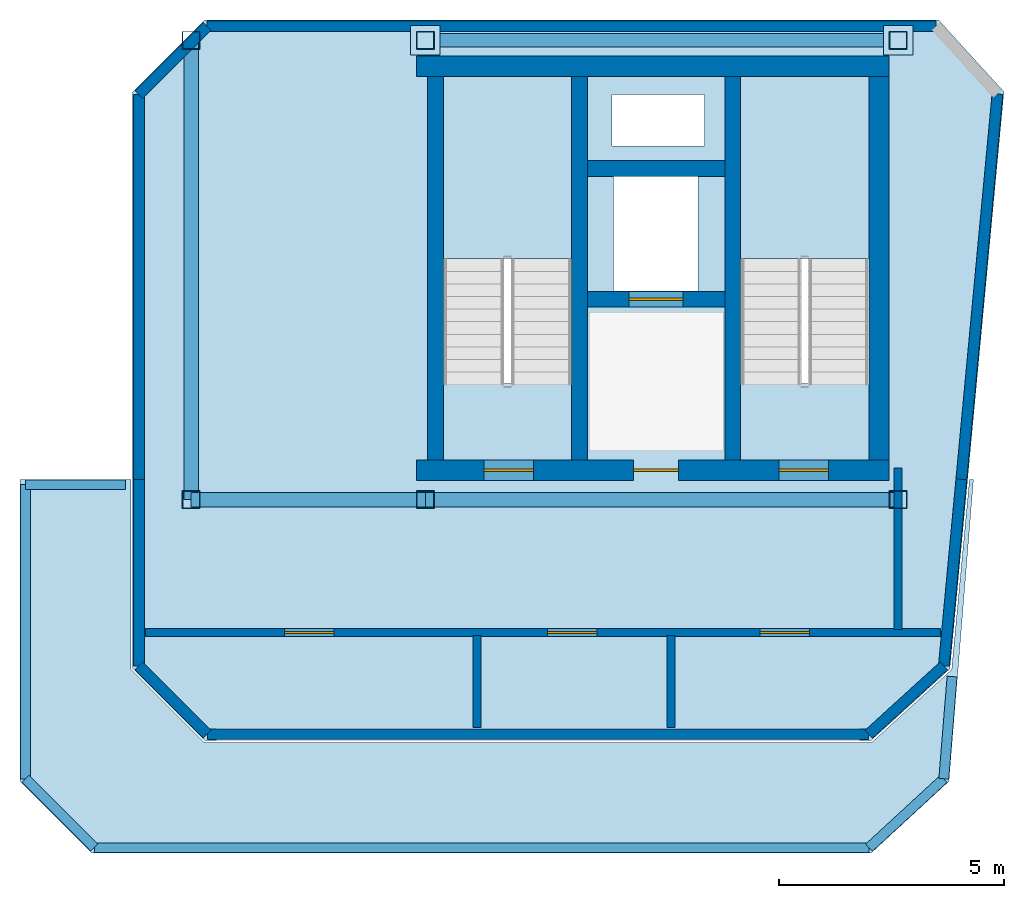
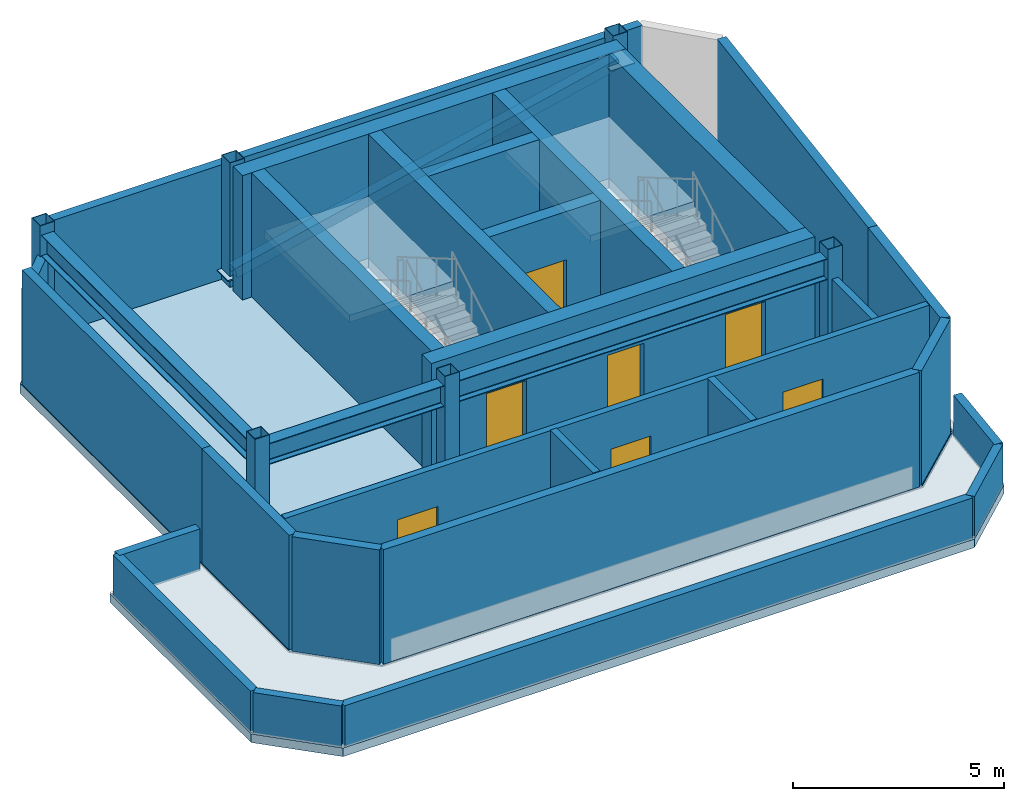
# One storey, part 1 of 3: 27 walls, 7 doors, 6 columns, 4 slabs, 3 beams, 2 plates, 1 member, 7 openings, 2 elements without a shape of their own.
"""IFC4 building model written with IfcOpenShell, lengths in metres."""

from ifc_helpers import new_model, si_unit, direction, frame, frame_2d, origin, origin_2d, place, context, subcontext, project, spatial, polyline, rectangle, hollow_rectangle, i_section, outline, extrude, material, layer, layer_set, material_profile, profile_set, type_object, element, fill, aggregate, save


model = new_model("IFC4")

# Units and contexts
model_context = context("Model", 3, precision=1e-05, world=origin(), true_north=direction((0.0, 1.0)))
body_context = subcontext(model_context, "Body", "Model", "MODEL_VIEW")
ifc_project = project(units=[si_unit("LENGTHUNIT", "METRE"), si_unit("AREAUNIT", "SQUARE_METRE"), si_unit("VOLUMEUNIT", "CUBIC_METRE"), si_unit("PLANEANGLEUNIT", "RADIAN"), si_unit("MASSUNIT", "GRAM", prefix="KILO")], contexts=[model_context])

# Site, building, storey
site_placement = place(None, origin())
site = spatial("IfcSite", under=ifc_project, at=site_placement, CompositionType="ELEMENT")
building_placement = place(site_placement, origin())
building = spatial("IfcBuilding", under=site, at=building_placement, Name="Kravanh Interchange Tower", CompositionType="ELEMENT")
storey_placement = place(building_placement, frame((0.0, 0.0, 330.0)))
storey = spatial("IfcBuildingStorey", under=building, at=storey_placement, Name="L82", CompositionType="ELEMENT", Elevation=330.0)

# Columns
ifc_material_1 = material(Name="Structural Steel S355", Category="steel")
ifc_material_profile_1 = material_profile(ifc_material_1, hollow_rectangle(XDim=0.39990234375, YDim=0.39990234375, WallThickness=0.01611328125, at=origin_2d()), Name="HSS400X400X16")
ifc_profile_set_1 = profile_set([ifc_material_profile_1], Name="Structural Steel S355")
column_type = type_object("IfcColumnType", Name="Column HSS400X400X16 Structural Steel S355", PredefinedType="COLUMN", material=ifc_profile_set_1)
for number, where, z_axis, x_axis, name in (
    (1, (66.5, 47.550048828125, 0.0), (0.0, 0.0, 1.0), (1.0, 0.0, 0.0), "L82 Column CS01"),
    (2, (56.0, 47.550048828125, 0.0), (0.0, 0.0, 1.0), (1.0, 0.0, 0.0), "L82 Column CS02"),
    (3, (66.5, 37.35009765625, 0.0), (0.0, 0.0, 1.0), (1.0, 0.0, 0.0), "L82 Column CS03"),
    (4, (56.0, 37.35009765625, 0.0), (0.0, 0.0, 1.0), (1.0, 0.0, 0.0), "L82 Column CS04"),
    (5, (50.800048828125, 47.550048828125, 0.0), (0.0, 0.0, 1.0), (1.0, 0.0, 0.0), "L82 Column CS05"),
    (6, (50.800048828125, 37.35009765625, 0.0), (0.0, 0.0, 1.0), (1.0, 0.0, 0.0), "L82 Column CS06"),
):
    element("IfcColumn", number, at=place(storey_placement, frame(where, z_axis=z_axis, x_axis=x_axis)), inside=storey, type_object=column_type, Name=name, PredefinedType="COLUMN", context=body_context, shape_type="SweptSolid", body=[
        extrude(hollow_rectangle(XDim=0.39990234375, YDim=0.39990234375, WallThickness=0.01611328125, at=origin_2d()), origin(), (0.0, 0.0, 1.0), 3.60009765625),
    ])

# Beams
ifc_material_2 = material(Name="Structural Steel S355", Category="steel")
ifc_material_profile_2 = material_profile(ifc_material_2, i_section(OverallWidth=0.323974609375, OverallDepth=0.611083984375, WebThickness=0.0126953125, FlangeThickness=0.01904296875, FilletRadius=0.02197265625, at=origin_2d()), Name="W24X104")
ifc_profile_set_2 = profile_set([ifc_material_profile_2], Name="Structural Steel S355")
beam_type = type_object("IfcBeamType", Name="Floor Beam W24X104 Structural Steel S355", PredefinedType="BEAM", material=ifc_profile_set_2)
beam_1_placement = place(storey_placement, frame((66.5, 37.35009765625, 3.014404296875), z_axis=(-1.0, 0.0, 0.0), x_axis=(0.0, -1.0, 0.0)))
element("IfcBeam", 7, at=beam_1_placement, inside=storey, type_object=beam_type, Name="L82 Primary Floor Girder 5", PredefinedType="BEAM", context=body_context, shape_type="SweptSolid", body=[
    extrude(i_section(OverallWidth=0.323974609375, OverallDepth=0.611083984375, WebThickness=0.0126953125, FlangeThickness=0.01904296875, FilletRadius=0.02197265625, at=origin_2d()), origin(), (0.0, 0.0, 1.0), 10.5),
])
beam_2_placement = place(storey_placement, frame((56.0, 37.35009765625, 3.014404296875), z_axis=(-1.0, 0.0, 0.0), x_axis=(0.0, -1.0, 0.0)))
element("IfcBeam", 8, at=beam_2_placement, inside=storey, type_object=beam_type, Name="L82 Primary Floor Girder 6", PredefinedType="BEAM", context=body_context, shape_type="SweptSolid", body=[
    extrude(i_section(OverallWidth=0.323974609375, OverallDepth=0.611083984375, WebThickness=0.0126953125, FlangeThickness=0.01904296875, FilletRadius=0.02197265625, at=origin_2d()), origin(), (0.0, 0.0, 1.0), 5.199951171875),
])
beam_3_placement = place(storey_placement, frame((50.800048828125, 47.550048828125, 3.014404296875), z_axis=(0.0, -1.0, 0.0), x_axis=(1.0, 0.0, 0.0)))
element("IfcBeam", 9, at=beam_3_placement, inside=storey, type_object=beam_type, Name="L82 Primary Floor Girder 7", PredefinedType="BEAM", context=body_context, shape_type="SweptSolid", body=[
    extrude(i_section(OverallWidth=0.323974609375, OverallDepth=0.611083984375, WebThickness=0.0126953125, FlangeThickness=0.01904296875, FilletRadius=0.02197265625, at=origin_2d()), origin(), (0.0, 0.0, 1.0), 10.199951171875),
])

# Member
ifc_material_3 = material(Name="Structural Steel S355", Category="steel")
ifc_material_profile_3 = material_profile(ifc_material_3, hollow_rectangle(XDim=0.300048828125, YDim=0.300048828125, WallThickness=0.011962890625, at=origin_2d()), Name="HSS300X300X12")
ifc_profile_set_3 = profile_set([ifc_material_profile_3], Name="Structural Steel S355")
member_type = type_object("IfcMemberType", Name="Frame Brace HSS300X300X12 Structural Steel S355", PredefinedType="BRACE", material=ifc_profile_set_3)
member_placement = place(storey_placement, frame((56.0, 47.550048828125, 0.300048828125), z_axis=(0.974678011383, 0.0, 0.223613000798), x_axis=(0.0, 1.0, 0.0)))
element("IfcMember", 10, at=member_placement, inside=storey, type_object=member_type, Name="L82 Spine Frame Steel Brace 1", PredefinedType="BRACE", context=body_context, shape_type="SweptSolid", body=[
    extrude(hollow_rectangle(XDim=0.300048828125, YDim=0.300048828125, WallThickness=0.011962890625, at=origin_2d()), origin(), (0.0, 0.0, 1.0), 10.772705078125),
])

# Slab
ifc_material_4 = material(Name="Concrete C60/75", Category="concrete")
ifc_layer_1 = layer(ifc_material_4, 0.280029296875)
ifc_layer_set_1 = layer_set([ifc_layer_1], Name="Composite Floor Slab Concrete C60/75 280mm")
slab_type_1 = type_object("IfcSlabType", Name="Composite Floor Slab Concrete C60/75 280mm", PredefinedType="FLOOR", material=ifc_layer_set_1)
slab_1_placement = place(storey_placement, frame((0.0, 0.0, -0.280029296875)))
element("IfcSlab", 11, at=slab_1_placement, inside=storey, type_object=slab_type_1, Name="L82 Structural Floor Slab", PredefinedType="FLOOR", context=body_context, shape_type="SweptSolid", body=[
    extrude(outline(polyline([(49.5, 33.60009765625), (51.10009765625, 32.0), (65.89990234375, 32.0), (67.6494140625, 33.593017578125), (68.8505859375, 46.406982421875), (67.39990234375, 48.0), (51.10009765625, 48.0), (49.5, 46.39990234375), (49.5, 33.60009765625)]), holes=[polyline([(65.85009765625, 39.925048828125), (65.85009765625, 46.75), (63.0, 46.75), (63.0, 39.925048828125), (65.85009765625, 39.925048828125)]), polyline([(59.25, 39.925048828125), (59.25, 46.75), (56.39990234375, 46.75), (56.39990234375, 39.925048828125), (59.25, 39.925048828125)]), polyline([(60.179931640625, 41.97998046875), (62.06005859375, 41.97998046875), (62.06005859375, 44.52001953125), (60.179931640625, 44.52001953125), (60.179931640625, 41.97998046875)]), polyline([(60.14990234375, 45.199951171875), (62.199951171875, 45.199951171875), (62.199951171875, 46.35009765625), (60.14990234375, 46.35009765625), (60.14990234375, 45.199951171875)])]), origin(), (0.0, 0.0, 1.0), 0.280029296875),
])

# Stair, slab
ifc_material_5 = material(Name="Concrete C50/60", Category="concrete")
stair_type = type_object("IfcStairType", Name="Core Fire Exit Dogleg Stair Concrete C50/60", PredefinedType="HALF_TURN_STAIR", material=ifc_material_5)
stair_1_placement = place(storey_placement, origin())
stair_1 = element("IfcStair", 12, at=stair_1_placement, inside=storey, type_object=stair_type, Name="L82 Exit Stair ST1", PredefinedType="HALF_TURN_STAIR")
ifc_material_6 = material(Name="Concrete C50/60", Category="concrete")
ifc_layer_2 = layer(ifc_material_6, 0.199951171875)
ifc_layer_set_2 = layer_set([ifc_layer_2], Name="Concrete C50/60 Stair Half-Landing Slab 200mm")
slab_type_2 = type_object("IfcSlabType", Name="Concrete C50/60 Stair Half-Landing Slab 200mm", PredefinedType="LANDING", material=ifc_layer_set_2)
slab_2_placement = place(storey_placement, frame((0.0, 0.0, 1.60009765625)))
slab_2 = element("IfcSlab", 13, at=slab_2_placement, type_object=slab_type_2, Name="ST1 landing 1", PredefinedType="LANDING", context=body_context, shape_type="SweptSolid", body=[
    extrude(outline(polyline([(65.85009765625, 42.699951171875), (65.85009765625, 46.75), (63.0, 46.75), (63.0, 42.699951171875), (65.85009765625, 42.699951171875)])), origin(), (0.0, 0.0, 1.0), 0.199951171875),
])
aggregate(stair_1, [slab_2])

stair_2_placement = place(storey_placement, origin())
stair_2 = element("IfcStair", 14, at=stair_2_placement, inside=storey, type_object=stair_type, Name="L82 Exit Stair ST2", PredefinedType="HALF_TURN_STAIR")
slab_3_placement = place(storey_placement, frame((0.0, 0.0, 1.60009765625)))
slab_3 = element("IfcSlab", 15, at=slab_3_placement, type_object=slab_type_2, Name="ST2 landing 1", PredefinedType="LANDING", context=body_context, shape_type="SweptSolid", body=[
    extrude(outline(polyline([(59.25, 42.699951171875), (59.25, 46.75), (56.39990234375, 46.75), (56.39990234375, 42.699951171875), (59.25, 42.699951171875)])), origin(), (0.0, 0.0, 1.0), 0.199951171875),
])
aggregate(stair_2, [slab_3])

# Plates
ifc_material_7 = material(Name="Structural Steel S450", Category="steel")
ifc_layer_3 = layer(ifc_material_7, 0.031982421875)
ifc_layer_set_3 = layer_set([ifc_layer_3], Name="Flange Continuity Node Plate 650x650x32 S450")
plate_type = type_object("IfcPlateType", Name="Flange Continuity Node Plate 650x650x32 S450", PredefinedType="SHEET", material=ifc_layer_set_3)
for number, where, z_axis, x_axis, name in (
    (16, (56.0, 47.550048828125, 0.2841796875), (0.0, 0.0, 1.0), (1.0, 0.0, 0.0), "L82 Spine Brace Lower Gusset Plate"),
    (17, (66.5, 47.550048828125, 2.69287109375), (0.0, 0.0, 1.0), (1.0, 0.0, 0.0), "L82 Spine Brace Upper Gusset Plate"),
):
    element("IfcPlate", number, at=place(storey_placement, frame(where, z_axis=z_axis, x_axis=x_axis)), inside=storey, type_object=plate_type, Name=name, PredefinedType="SHEET", context=body_context, shape_type="SweptSolid", body=[
        extrude(rectangle(XDim=0.64990234375, YDim=0.64990234375, at=origin_2d()), origin(), (0.0, 0.0, 1.0), 0.031982421875),
    ])

# Slab
ifc_material_8 = material(Name="Concrete C50/60", Category="concrete")
ifc_layer_4 = layer(ifc_material_8, 0.25)
ifc_layer_set_4 = layer_set([ifc_layer_4], Name="Insulated Terrace Roof Slab Concrete C50/60 250mm")
slab_type_3 = type_object("IfcSlabType", Name="Insulated Terrace Roof Slab Concrete C50/60 250mm", PredefinedType="ROOF", material=ifc_layer_set_4)
slab_4_placement = place(storey_placement, frame((0.0, 0.0, -0.25)))
element("IfcSlab", 18, at=slab_4_placement, inside=storey, type_object=slab_type_3, Name="L82 Maintenance Skylight Roof 1", PredefinedType="ROOF", context=body_context, shape_type="SweptSolid", body=[
    extrude(outline(polyline([(65.89990234375, 29.5), (48.60009765625, 29.5), (47.0, 31.10009765625), (47.0, 37.800048828125), (49.4599609375, 37.800048828125), (49.4599609375, 33.58349609375), (51.08349609375, 31.9599609375), (65.91552734375, 31.9599609375), (67.687744140625, 33.573974609375), (68.083984375, 37.800048828125), (68.173095703125, 37.800048828125), (67.62939453125, 31.0947265625), (65.89990234375, 29.5)])), origin(), (0.0, 0.0, 1.0), 0.25),
])

# Walls
ifc_material_9 = material(Name="Concrete C60/75", Category="concrete")
ifc_layer_5 = layer(ifc_material_9, 0.35009765625)
ifc_layer_set_5 = layer_set([ifc_layer_5], Name="Core Shear Wall Concrete C60/75 350mm")
wall_type_1 = type_object("IfcWallType", Name="Core Shear Wall Concrete C60/75 350mm", PredefinedType="SHEAR", material=ifc_layer_set_5)
for number, where, z_axis, x_axis, name in (
    (19, (62.824951171875, 38.22509765625, 0.0), (0.0, 0.0, 1.0), (0.0, 1.0, 0.0), "L82 Stair ST1 West Shear Wall"),
    (20, (59.425048828125, 38.22509765625, 0.0), (0.0, 0.0, 1.0), (0.0, 1.0, 0.0), "L82 Stair ST2 East Shear Wall"),
    (21, (56.22509765625, 38.22509765625, 0.0), (0.0, 0.0, 1.0), (0.0, 1.0, 0.0), "L82 Stair ST2 West Shear Wall"),
):
    element("IfcWall", number, at=place(storey_placement, frame(where, z_axis=z_axis, x_axis=x_axis)), inside=storey, type_object=wall_type_1, Name=name, PredefinedType="SHEAR", context=body_context, shape_type="SweptSolid", body=[
        extrude(rectangle(XDim=8.52490234375, YDim=0.35009765625, at=frame_2d((4.262451171875, 0.0))), origin(), (0.0, 0.0, 1.0), 3.60009765625),
    ])

# Wall, opening, door
wall_1_placement = place(storey_placement, frame((59.60009765625, 41.800048828125, 0.0), z_axis=(0.0, 0.0, 1.0), x_axis=(1.0, 0.0, 0.0)))
wall_1 = element("IfcWall", 22, at=wall_1_placement, inside=storey, type_object=wall_type_1, Name="L82 Service Lift Shaft South Wall", PredefinedType="SHEAR", context=body_context, shape_type="SweptSolid", body=[
    extrude(rectangle(XDim=3.0498046875, YDim=0.35009765625, at=frame_2d((1.52490234375, 0.0))), origin(), (0.0, 0.0, 1.0), 3.60009765625),
])
opening_1_placement = place(wall_1_placement, frame((0.919921875, 0.0, 0.0)))
opening_1 = element("IfcOpeningElement", 23, at=opening_1_placement, cuts=wall_1, Name="Opening LD02", PredefinedType="OPENING", context=body_context, shape_type="SweptSolid", body=[
    extrude(rectangle(XDim=1.199951171875, YDim=2.199951171875, at=frame_2d((0.60009765625, 1.10009765625))), frame((0.0, 0.18505859375, 0.0), z_axis=(0.0, -1.0, 0.0), x_axis=(1.0, 0.0, 0.0)), (0.0, 0.0, 1.0), 0.3701171875),
])
ifc_material_10 = material(Name="Stainless Steel 316", Category="steel")
door_type_1 = type_object("IfcDoorType", Name="Fire and Service Lift Sliding Landing Door 1200x2200", OperationType="DOUBLE_DOOR_SLIDING", PredefinedType="DOOR", material=ifc_material_10)
door_1_placement = place(opening_1_placement, origin())
door_1 = element("IfcDoor", 24, at=door_1_placement, inside=storey, type_object=door_type_1, Name="L82 Lift LS-01 Landing Door", OperationType="DOUBLE_DOOR_SLIDING", OverallHeight=2.199951171875, OverallWidth=1.199951171875, PredefinedType="DOOR", context=body_context, shape_type="SweptSolid", body=[
    extrude(rectangle(XDim=1.199951171875, YDim=2.199951171875, at=frame_2d((0.60009765625, 1.10009765625))), frame((0.0, 0.02490234375, 0.0), z_axis=(0.0, -1.0, 0.0), x_axis=(1.0, 0.0, 0.0)), (0.0, 0.0, 1.0), 0.050048828125),
])
fill(opening_1, door_1)

# Walls
wall_2_placement = place(storey_placement, frame((59.60009765625, 44.699951171875, 0.0), z_axis=(0.0, 0.0, 1.0), x_axis=(1.0, 0.0, 0.0)))
element("IfcWall", 25, at=wall_2_placement, inside=storey, type_object=wall_type_1, Name="L82 Service Lift Shaft North Wall", PredefinedType="SHEAR", context=body_context, shape_type="SweptSolid", body=[
    extrude(rectangle(XDim=3.0498046875, YDim=0.35009765625, at=frame_2d((1.52490234375, 0.0))), origin(), (0.0, 0.0, 1.0), 3.60009765625),
])
ifc_material_11 = material(Name="Concrete C60/75", Category="concrete")
ifc_layer_6 = layer(ifc_material_11, 0.449951171875)
ifc_layer_set_6 = layer_set([ifc_layer_6], Name="Core Shear Wall Concrete C60/75 450mm")
wall_type_2 = type_object("IfcWallType", Name="Core Shear Wall Concrete C60/75 450mm", PredefinedType="SHEAR", material=ifc_layer_set_6)
wall_3_placement = place(storey_placement, frame((55.800048828125, 46.97509765625, 0.0), z_axis=(0.0, 0.0, 1.0), x_axis=(1.0, 0.0, 0.0)))
element("IfcWall", 26, at=wall_3_placement, inside=storey, type_object=wall_type_2, Name="L82 North Core Shear Wall", PredefinedType="SHEAR", context=body_context, shape_type="SweptSolid", body=[
    extrude(rectangle(XDim=10.5, YDim=0.449951171875, at=frame_2d((5.25, 0.0))), origin(), (0.0, 0.0, 1.0), 3.60009765625),
])

# Wall, openings, doors
wall_4_placement = place(storey_placement, frame((55.800048828125, 38.0, 0.0), z_axis=(0.0, 0.0, 1.0), x_axis=(1.0, 0.0, 0.0)))
wall_4 = element("IfcWall", 27, at=wall_4_placement, inside=storey, type_object=wall_type_2, Name="L82 East Core South Shear Wall", PredefinedType="SHEAR", context=body_context, shape_type="SweptSolid", body=[
    extrude(rectangle(XDim=10.5, YDim=0.449951171875, at=frame_2d((5.25, 0.0))), origin(), (0.0, 0.0, 1.0), 3.60009765625),
])
opening_2_placement = place(wall_4_placement, frame((1.5, 0.0, 0.0)))
opening_2 = element("IfcOpeningElement", 28, at=opening_2_placement, cuts=wall_4, Name="Opening D-STAIR-110", PredefinedType="OPENING", context=body_context, shape_type="SweptSolid", body=[
    extrude(rectangle(XDim=1.10009765625, YDim=2.199951171875, at=frame_2d((0.550048828125, 1.10009765625))), frame((0.0, 0.23486328125, 0.0), z_axis=(0.0, -1.0, 0.0), x_axis=(1.0, 0.0, 0.0)), (0.0, 0.0, 1.0), 0.469970703125),
])
opening_3_placement = place(wall_4_placement, frame((4.820068359375, 0.0, 0.0)))
opening_3 = element("IfcOpeningElement", 29, at=opening_3_placement, cuts=wall_4, Name="Opening D-HOTEL-100", PredefinedType="OPENING", context=body_context, shape_type="SweptSolid", body=[
    extrude(rectangle(XDim=1.0, YDim=2.14990234375, at=frame_2d((0.5, 1.074951171875))), frame((0.0, 0.23486328125, 0.0), z_axis=(0.0, -1.0, 0.0), x_axis=(1.0, 0.0, 0.0)), (0.0, 0.0, 1.0), 0.469970703125),
])
opening_4_placement = place(wall_4_placement, frame((8.050048828125, 0.0, 0.0)))
opening_4 = element("IfcOpeningElement", 30, at=opening_4_placement, cuts=wall_4, Name="Opening D-STAIR-110", PredefinedType="OPENING", context=body_context, shape_type="SweptSolid", body=[
    extrude(rectangle(XDim=1.10009765625, YDim=2.199951171875, at=frame_2d((0.550048828125, 1.10009765625))), frame((0.0, 0.23486328125, 0.0), z_axis=(0.0, -1.0, 0.0), x_axis=(1.0, 0.0, 0.0)), (0.0, 0.0, 1.0), 0.469970703125),
])
ifc_material_12 = material(Name="Structural Steel S355", Category="steel")
door_type_2 = type_object("IfcDoorType", Name="Fire-Rated Exit Stair Door 1100x2200", OperationType="NOTDEFINED", PredefinedType="DOOR", material=ifc_material_12)
door_2_placement = place(opening_2_placement, origin())
door_2 = element("IfcDoor", 31, at=door_2_placement, inside=storey, type_object=door_type_2, Name="L82 Exit Stair ST2 Door", OperationType="SINGLE_SWING_RIGHT", OverallHeight=2.199951171875, OverallWidth=1.10009765625, PredefinedType="DOOR", context=body_context, shape_type="SweptSolid", body=[
    extrude(rectangle(XDim=1.10009765625, YDim=2.199951171875, at=frame_2d((0.550048828125, 1.10009765625))), frame((0.0, 0.02490234375, 0.0), z_axis=(0.0, -1.0, 0.0), x_axis=(1.0, 0.0, 0.0)), (0.0, 0.0, 1.0), 0.050048828125),
])
fill(opening_2, door_2)
door_3_placement = place(opening_4_placement, origin())
door_3 = element("IfcDoor", 32, at=door_3_placement, inside=storey, type_object=door_type_2, Name="L82 Exit Stair ST1 Door", OperationType="SINGLE_SWING_RIGHT", OverallHeight=2.199951171875, OverallWidth=1.10009765625, PredefinedType="DOOR", context=body_context, shape_type="SweptSolid", body=[
    extrude(rectangle(XDim=1.10009765625, YDim=2.199951171875, at=frame_2d((0.550048828125, 1.10009765625))), frame((0.0, 0.02490234375, 0.0), z_axis=(0.0, -1.0, 0.0), x_axis=(1.0, 0.0, 0.0)), (0.0, 0.0, 1.0), 0.050048828125),
])
fill(opening_4, door_3)
ifc_material_13 = material(Name="Fire-Rated Solid Timber Leaf", Category="wood")
door_type_3 = type_object("IfcDoorType", Name="Fire-Rated Suite Entrance Door 1000x2150", OperationType="NOTDEFINED", PredefinedType="DOOR", material=ifc_material_13)
door_4_placement = place(opening_3_placement, origin())
door_4 = element("IfcDoor", 33, at=door_4_placement, inside=storey, type_object=door_type_3, Name="L82 Service Lift Lobby Door", OperationType="SINGLE_SWING_RIGHT", OverallHeight=2.14990234375, OverallWidth=1.0, PredefinedType="DOOR", context=body_context, shape_type="SweptSolid", body=[
    extrude(rectangle(XDim=1.0, YDim=2.14990234375, at=frame_2d((0.5, 1.074951171875))), frame((0.0, 0.02490234375, 0.0), z_axis=(0.0, -1.0, 0.0), x_axis=(1.0, 0.0, 0.0)), (0.0, 0.0, 1.0), 0.050048828125),
])
fill(opening_3, door_4)

# Walls
wall_5_placement = place(storey_placement, frame((66.074951171875, 38.22509765625, 0.0), z_axis=(0.0, 0.0, 1.0), x_axis=(0.0, 1.0, 0.0)))
element("IfcWall", 34, at=wall_5_placement, inside=storey, type_object=wall_type_2, Name="L82 Stair ST1 East Shear Wall", PredefinedType="SHEAR", context=body_context, shape_type="SweptSolid", body=[
    extrude(rectangle(XDim=8.52490234375, YDim=0.449951171875, at=frame_2d((4.262451171875, 0.0))), origin(), (0.0, 0.0, 1.0), 3.60009765625),
])
ifc_material_14 = material(Name="Insulated Concrete C40/50 with Bronze Rainscreen", Category="concrete")
ifc_layer_7 = layer(ifc_material_14, 0.239990234375)
ifc_layer_set_7 = layer_set([ifc_layer_7], Name="Exterior Insulated Concrete C40/50 Crown Enclosure Wall 240mm")
wall_type_3 = type_object("IfcWallType", Name="Exterior Insulated Concrete C40/50 Crown Enclosure Wall 240mm", PredefinedType="STANDARD", material=ifc_layer_set_7)
wall_6_placement = place(storey_placement, frame((49.639892578125, 33.657958984375, 0.0), z_axis=(0.0, 0.0, 1.0), x_axis=(0.0, 1.0, 0.0)))
element("IfcWall", 35, at=wall_6_placement, inside=storey, type_object=wall_type_3, Name="L82 Exterior Enclosure Wall 1", PredefinedType="STANDARD", context=body_context, shape_type="SweptSolid", body=[
    extrude(rectangle(XDim=4.14208984375, YDim=0.239990234375, at=frame_2d((2.071044921875, 0.0))), origin(), (0.0, 0.0, 1.0), 3.320068359375),
])
wall_7_placement = place(storey_placement, frame((49.639892578125, 37.800048828125, 0.0), z_axis=(0.0, 0.0, 1.0), x_axis=(0.0, 1.0, 0.0)))
element("IfcWall", 36, at=wall_7_placement, inside=storey, type_object=wall_type_3, Name="L82 Exterior Enclosure Wall 2", PredefinedType="STANDARD", context=body_context, shape_type="SweptSolid", body=[
    extrude(rectangle(XDim=8.5419921875, YDim=0.239990234375, at=frame_2d((4.27099609375, 0.0))), origin(), (0.0, 0.0, 1.0), 3.320068359375),
])
wall_8_placement = place(storey_placement, frame((49.639892578125, 46.342041015625, 0.0), z_axis=(0.0, 0.0, 1.0), x_axis=(0.707106781187, 0.707106781187, 0.0)))
element("IfcWall", 37, at=wall_8_placement, inside=storey, type_object=wall_type_3, Name="L82 Exterior Enclosure Wall 3", PredefinedType="STANDARD", context=body_context, shape_type="SweptSolid", body=[
    extrude(rectangle(XDim=2.14697265625, YDim=0.239990234375, at=frame_2d((1.073486328125, 0.0))), origin(), (0.0, 0.0, 1.0), 2.708984375),
])
wall_9_placement = place(storey_placement, frame((51.157958984375, 47.860107421875, 0.0), z_axis=(0.0, 0.0, 1.0), x_axis=(1.0, 0.0, 0.0)))
element("IfcWall", 38, at=wall_9_placement, inside=storey, type_object=wall_type_3, Name="L82 Exterior Enclosure Wall 4", PredefinedType="STANDARD", context=body_context, shape_type="SweptSolid", body=[
    extrude(rectangle(XDim=16.18017578125, YDim=0.239990234375, at=frame_2d((8.090087890625, 0.0))), origin(), (0.0, 0.0, 1.0), 3.320068359375),
])
wall_10_placement = place(storey_placement, frame((68.70556640625, 46.3583984375, 0.0), z_axis=(0.0, 0.0, 1.0), x_axis=(-0.093357425452, -0.995632658722, 0.0)))
element("IfcWall", 39, at=wall_10_placement, inside=storey, type_object=wall_type_3, Name="L82 Exterior Enclosure Wall 6", PredefinedType="STANDARD", context=body_context, shape_type="SweptSolid", body=[
    extrude(rectangle(XDim=8.595947265625, YDim=0.239990234375, at=frame_2d((4.2978515625, 0.0))), origin(), (0.0, 0.0, 1.0), 3.320068359375),
])
wall_11_placement = place(storey_placement, frame((67.903076171875, 37.800048828125, 0.0), z_axis=(0.0, 0.0, 1.0), x_axis=(-0.093351621222, -0.995633202949, 0.0)))
element("IfcWall", 40, at=wall_11_placement, inside=storey, type_object=wall_type_3, Name="L82 Exterior Enclosure Wall 7", PredefinedType="STANDARD", context=body_context, shape_type="SweptSolid", body=[
    extrude(rectangle(XDim=4.158203125, YDim=0.239990234375, at=frame_2d((2.0791015625, 0.0))), origin(), (0.0, 0.0, 1.0), 3.320068359375),
])
wall_12_placement = place(storey_placement, frame((67.514892578125, 33.659912109375, 0.0), z_axis=(0.0, 0.0, 1.0), x_axis=(-0.739372182695, -0.673296944488, 0.0)))
element("IfcWall", 41, at=wall_12_placement, inside=storey, type_object=wall_type_3, Name="L82 Exterior Enclosure Wall 8", PredefinedType="STANDARD", context=body_context, shape_type="SweptSolid", body=[
    extrude(rectangle(XDim=2.257568359375, YDim=0.239990234375, at=frame_2d((1.12890625, 0.0))), origin(), (0.0, 0.0, 1.0), 3.320068359375),
])
wall_13_placement = place(storey_placement, frame((65.845703125, 32.139892578125, 0.0), z_axis=(0.0, 0.0, 1.0), x_axis=(-1.0, 0.0, 0.0)))
element("IfcWall", 42, at=wall_13_placement, inside=storey, type_object=wall_type_3, Name="L82 Exterior Enclosure Wall 9", PredefinedType="STANDARD", context=body_context, shape_type="SweptSolid", body=[
    extrude(rectangle(XDim=14.687744140625, YDim=0.239990234375, at=frame_2d((7.34375, 0.0))), origin(), (0.0, 0.0, 1.0), 3.320068359375),
])
wall_14_placement = place(storey_placement, frame((51.157958984375, 32.139892578125, 0.0), z_axis=(0.0, 0.0, 1.0), x_axis=(-0.707106781187, 0.707106781187, 0.0)))
element("IfcWall", 43, at=wall_14_placement, inside=storey, type_object=wall_type_3, Name="L82 Exterior Enclosure Wall 10", PredefinedType="STANDARD", context=body_context, shape_type="SweptSolid", body=[
    extrude(rectangle(XDim=2.14697265625, YDim=0.239990234375, at=frame_2d((1.073486328125, 0.0))), origin(), (0.0, 0.0, 1.0), 3.320068359375),
])

# Wall, openings, doors
ifc_material_15 = material(Name="Autoclaved Aerated Concrete C30/37 Blockwork", Category="masonry")
ifc_layer_8 = layer(ifc_material_15, 0.179931640625)
ifc_layer_set_8 = layer_set([ifc_layer_8], Name="Fire-Rated Lobby and Corridor Wall Concrete C30/37 180mm")
wall_type_4 = type_object("IfcWallType", Name="Fire-Rated Lobby and Corridor Wall Concrete C30/37 180mm", PredefinedType="STANDARD", material=ifc_layer_set_8)
wall_15_placement = place(storey_placement, frame((49.784912109375, 34.39990234375, 0.0), z_axis=(0.0, 0.0, 1.0), x_axis=(1.0, 0.0, 0.0)))
wall_15 = element("IfcWall", 44, at=wall_15_placement, inside=storey, type_object=wall_type_4, Name="L82 Interior Partition 1", PredefinedType="STANDARD", context=body_context, shape_type="SweptSolid", body=[
    extrude(rectangle(XDim=17.65380859375, YDim=0.179931640625, at=frame_2d((8.826904296875, 0.0))), origin(), (0.0, 0.0, 1.0), 3.320068359375),
])
opening_5_placement = place(wall_15_placement, frame((3.0849609375, 0.0, 0.0)))
opening_5 = element("IfcOpeningElement", 45, at=opening_5_placement, cuts=wall_15, Name="Opening D-STAIR-110", PredefinedType="OPENING", context=body_context, shape_type="SweptSolid", body=[
    extrude(rectangle(XDim=1.10009765625, YDim=2.199951171875, at=frame_2d((0.550048828125, 1.10009765625))), frame((0.0, 0.10009765625, 0.0), z_axis=(0.0, -1.0, 0.0), x_axis=(1.0, 0.0, 0.0)), (0.0, 0.0, 1.0), 0.199951171875),
])
opening_6_placement = place(wall_15_placement, frame((8.929443359375, 0.0, 0.0)))
opening_6 = element("IfcOpeningElement", 46, at=opening_6_placement, cuts=wall_15, Name="Opening D-STAIR-110", PredefinedType="OPENING", context=body_context, shape_type="SweptSolid", body=[
    extrude(rectangle(XDim=1.10009765625, YDim=2.199951171875, at=frame_2d((0.550048828125, 1.10009765625))), frame((0.0, 0.10009765625, 0.0), z_axis=(0.0, -1.0, 0.0), x_axis=(1.0, 0.0, 0.0)), (0.0, 0.0, 1.0), 0.199951171875),
])
opening_7_placement = place(wall_15_placement, frame((13.64501953125, 0.0, 0.0)))
opening_7 = element("IfcOpeningElement", 47, at=opening_7_placement, cuts=wall_15, Name="Opening D-STAIR-110", PredefinedType="OPENING", context=body_context, shape_type="SweptSolid", body=[
    extrude(rectangle(XDim=1.10009765625, YDim=2.199951171875, at=frame_2d((0.550048828125, 1.10009765625))), frame((0.0, 0.10009765625, 0.0), z_axis=(0.0, -1.0, 0.0), x_axis=(1.0, 0.0, 0.0)), (0.0, 0.0, 1.0), 0.199951171875),
])
door_5_placement = place(opening_5_placement, origin())
door_5 = element("IfcDoor", 48, at=door_5_placement, inside=storey, type_object=door_type_2, Name="L82 Plant Room 1 Door", OperationType="SINGLE_SWING_RIGHT", OverallHeight=2.199951171875, OverallWidth=1.10009765625, PredefinedType="DOOR", context=body_context, shape_type="SweptSolid", body=[
    extrude(rectangle(XDim=1.10009765625, YDim=2.199951171875, at=frame_2d((0.550048828125, 1.10009765625))), frame((0.0, 0.02490234375, 0.0), z_axis=(0.0, -1.0, 0.0), x_axis=(1.0, 0.0, 0.0)), (0.0, 0.0, 1.0), 0.050048828125),
])
fill(opening_5, door_5)
door_6_placement = place(opening_6_placement, origin())
door_6 = element("IfcDoor", 49, at=door_6_placement, inside=storey, type_object=door_type_2, Name="L82 Plant Room 2 Door", OperationType="SINGLE_SWING_LEFT", OverallHeight=2.199951171875, OverallWidth=1.10009765625, PredefinedType="DOOR", context=body_context, shape_type="SweptSolid", body=[
    extrude(rectangle(XDim=1.10009765625, YDim=2.199951171875, at=frame_2d((0.550048828125, 1.10009765625))), frame((0.0, 0.02490234375, 0.0), z_axis=(0.0, -1.0, 0.0), x_axis=(1.0, 0.0, 0.0)), (0.0, 0.0, 1.0), 0.050048828125),
])
fill(opening_6, door_6)
door_7_placement = place(opening_7_placement, origin())
door_7 = element("IfcDoor", 50, at=door_7_placement, inside=storey, type_object=door_type_2, Name="L82 Plant Room 3 Door", OperationType="SINGLE_SWING_RIGHT", OverallHeight=2.199951171875, OverallWidth=1.10009765625, PredefinedType="DOOR", context=body_context, shape_type="SweptSolid", body=[
    extrude(rectangle(XDim=1.10009765625, YDim=2.199951171875, at=frame_2d((0.550048828125, 1.10009765625))), frame((0.0, 0.02490234375, 0.0), z_axis=(0.0, -1.0, 0.0), x_axis=(1.0, 0.0, 0.0)), (0.0, 0.0, 1.0), 0.050048828125),
])
fill(opening_7, door_7)

# Walls
wall_16_placement = place(storey_placement, frame((66.5, 34.468017578125, 0.0), z_axis=(0.0, 0.0, 1.0), x_axis=(0.0, 1.0, 0.0)))
element("IfcWall", 51, at=wall_16_placement, inside=storey, type_object=wall_type_4, Name="L82 Interior Partition 2", PredefinedType="STANDARD", context=body_context, shape_type="SweptSolid", body=[
    extrude(rectangle(XDim=3.58203125, YDim=0.179931640625, at=frame_2d((1.791015625, 0.0))), origin(), (0.0, 0.0, 1.0), 2.708984375),
])
for number, where, z_axis, x_axis, name in (
    (52, (57.14990234375, 32.284912109375, 0.0), (0.0, 0.0, 1.0), (0.0, 1.0, 0.0), "L82 Interior Partition 3"),
    (53, (61.4599609375, 32.284912109375, 0.0), (0.0, 0.0, 1.0), (0.0, 1.0, 0.0), "L82 Interior Partition 4"),
):
    element("IfcWall", number, at=place(storey_placement, frame(where, z_axis=z_axis, x_axis=x_axis)), inside=storey, type_object=wall_type_4, Name=name, PredefinedType="STANDARD", context=body_context, shape_type="SweptSolid", body=[
        extrude(rectangle(XDim=2.047119140625, YDim=0.179931640625, at=frame_2d((1.0234375, 0.0))), origin(), (0.0, 0.0, 1.0), 3.320068359375),
    ])
ifc_material_16 = material(Name="Concrete C40/50", Category="concrete")
ifc_layer_9 = layer(ifc_material_16, 0.219970703125)
ifc_layer_set_9 = layer_set([ifc_layer_9], Name="Roof Parapet Upstand Wall Concrete C40/50 220mm")
wall_type_5 = type_object("IfcWallType", Name="Roof Parapet Upstand Wall Concrete C40/50 220mm", PredefinedType="PARAPET", material=ifc_layer_set_9)
wall_17_placement = place(storey_placement, frame((65.85302734375, 29.6201171875, 0.0), z_axis=(0.0, 0.0, 1.0), x_axis=(-1.0, 0.0, 0.0)))
element("IfcWall", 54, at=wall_17_placement, inside=storey, type_object=wall_type_5, Name="L82 Stepped Roof Parapet 1-1", PredefinedType="PARAPET", context=body_context, shape_type="SweptSolid", body=[
    extrude(rectangle(XDim=17.203369140625, YDim=0.219970703125, at=frame_2d((8.6015625, 0.0))), origin(), (0.0, 0.0, 1.0), 1.199951171875),
])
wall_18_placement = place(storey_placement, frame((48.649658203125, 29.6201171875, 0.0), z_axis=(0.0, 0.0, 1.0), x_axis=(-0.707106781187, 0.707106781187, 0.0)))
element("IfcWall", 55, at=wall_18_placement, inside=storey, type_object=wall_type_5, Name="L82 Stepped Roof Parapet 1-2", PredefinedType="PARAPET", context=body_context, shape_type="SweptSolid", body=[
    extrude(rectangle(XDim=2.1630859375, YDim=0.219970703125, at=frame_2d((1.08154296875, 0.0))), origin(), (0.0, 0.0, 1.0), 1.199951171875),
])
wall_19_placement = place(storey_placement, frame((47.1201171875, 31.149658203125, 0.0), z_axis=(0.0, 0.0, 1.0), x_axis=(0.0, 1.0, 0.0)))
element("IfcWall", 56, at=wall_19_placement, inside=storey, type_object=wall_type_5, Name="L82 Stepped Roof Parapet 1-3", PredefinedType="PARAPET", context=body_context, shape_type="SweptSolid", body=[
    extrude(rectangle(XDim=6.5302734375, YDim=0.219970703125, at=frame_2d((3.26513671875, 0.0))), origin(), (0.0, 0.0, 1.0), 1.199951171875),
])
wall_20_placement = place(storey_placement, frame((47.1201171875, 37.679931640625, 0.0), z_axis=(0.0, 0.0, 1.0), x_axis=(1.0, 0.0, 0.0)))
element("IfcWall", 57, at=wall_20_placement, inside=storey, type_object=wall_type_5, Name="L82 Stepped Roof Parapet 1-4", PredefinedType="PARAPET", context=body_context, shape_type="SweptSolid", body=[
    extrude(rectangle(XDim=2.219970703125, YDim=0.219970703125, at=frame_2d((1.10986328125, 0.0))), origin(), (0.0, 0.0, 1.0), 1.199951171875),
])
wall_21_placement = place(storey_placement, frame((67.697509765625, 33.42041015625, 0.0), z_axis=(0.0, 0.0, 1.0), x_axis=(-0.080853298919, -0.99672601253, 0.0)))
element("IfcWall", 58, at=wall_21_placement, inside=storey, type_object=wall_type_5, Name="L82 Stepped Roof Parapet 1-9", PredefinedType="PARAPET", context=body_context, shape_type="SweptSolid", body=[
    extrude(rectangle(XDim=2.27685546875, YDim=0.219970703125, at=frame_2d((1.138427734375, 0.0))), origin(), (0.0, 0.0, 1.0), 1.199951171875),
])
wall_22_placement = place(storey_placement, frame((67.513427734375, 31.151123046875, 0.0), z_axis=(0.0, 0.0, 1.0), x_axis=(-0.735172180392, -0.677880421002, 0.0)))
element("IfcWall", 59, at=wall_22_placement, inside=storey, type_object=wall_type_5, Name="L82 Stepped Roof Parapet 1-10", PredefinedType="PARAPET", context=body_context, shape_type="SweptSolid", body=[
    extrude(rectangle(XDim=2.258544921875, YDim=0.219970703125, at=frame_2d((1.12939453125, 0.0))), origin(), (0.0, 0.0, 1.0), 1.199951171875),
])

save(model, "model.ifc")
